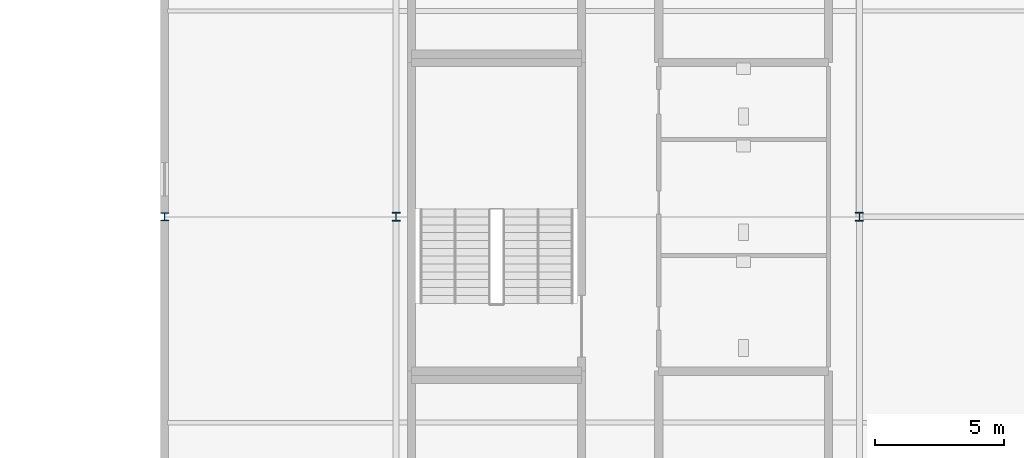
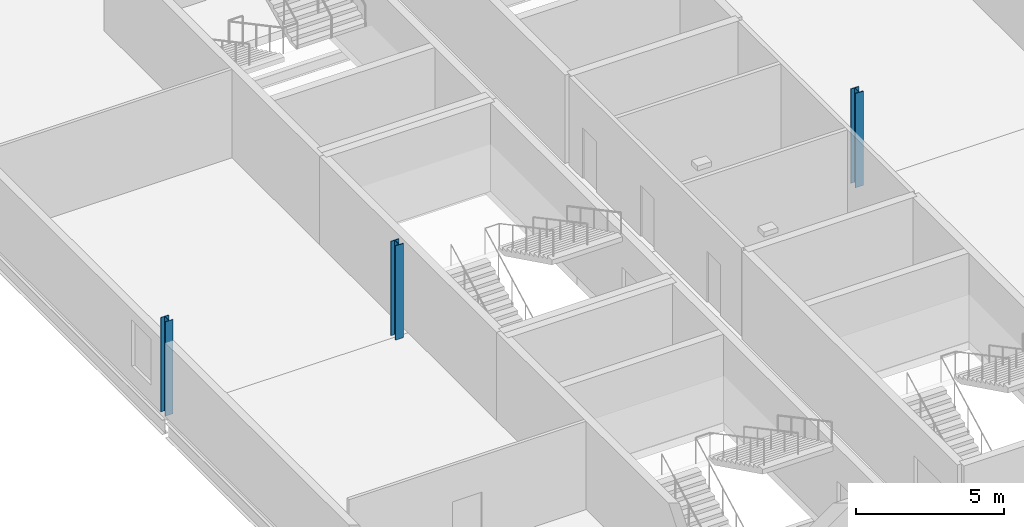
# One storey, part 5 of 27: 3 columns.
"""IFC4 building model written with IfcOpenShell, lengths in metres."""

from ifc_helpers import new_model, si_unit, direction, frame, origin, origin_2d, place, context, subcontext, project, spatial, i_section, extrude, material, material_profile, profile_set, type_object, element, save


model = new_model("IFC4")

# Units and contexts
model_context = context("Model", 3, precision=1e-05, world=origin(), true_north=direction((0.0, 1.0)))
body_context = subcontext(model_context, "Body", "Model", "MODEL_VIEW")
ifc_project = project(units=[si_unit("LENGTHUNIT", "METRE"), si_unit("AREAUNIT", "SQUARE_METRE"), si_unit("VOLUMEUNIT", "CUBIC_METRE"), si_unit("PLANEANGLEUNIT", "RADIAN"), si_unit("MASSUNIT", "GRAM", prefix="KILO")], contexts=[model_context])

# Site, building, storey
site_placement = place(None, origin())
site = spatial("IfcSite", under=ifc_project, at=site_placement, CompositionType="ELEMENT")
building_placement = place(site_placement, origin())
building = spatial("IfcBuilding", under=site, at=building_placement, Name="Kisiwana Market Hall", CompositionType="ELEMENT")
storey_placement = place(building_placement, frame((0.0, 0.0, 41.699951171875)))
storey = spatial("IfcBuildingStorey", under=building, at=storey_placement, Name="L09", CompositionType="ELEMENT", Elevation=41.699951171875)

# Columns
ifc_material_1 = material(Name="Steel S355", Category="steel")
ifc_material_profile_1 = material_profile(ifc_material_1, i_section(OverallWidth=0.30908203125, OverallDepth=0.320556640625, WebThickness=0.013916015625, FlangeThickness=0.021728515625, at=origin_2d()), Name="UC 305x305x137")
ifc_profile_set_1 = profile_set([ifc_material_profile_1], Name="Steel S355")
column_type_1 = type_object("IfcColumnType", Name="COL-STL-UC137", PredefinedType="COLUMN", material=ifc_profile_set_1)
column_placement = place(storey_placement, frame((162.0, 60.0, 0.0), z_axis=(0.0, 0.0, 1.0), x_axis=(1.0, 0.0, 0.0)))
element("IfcColumn", 1, at=column_placement, inside=storey, type_object=column_type_1, Name="Column H/19 (L09) C-1208", PredefinedType="COLUMN", context=body_context, shape_type="SweptSolid", body=[
    extrude(i_section(OverallWidth=0.30908203125, OverallDepth=0.320556640625, WebThickness=0.013916015625, FlangeThickness=0.021728515625, at=origin_2d()), origin(), (0.0, 0.0, 1.0), 3.900146484375),
])
ifc_material_2 = material(Name="Steel S355", Category="steel")
ifc_material_profile_2 = material_profile(ifc_material_2, i_section(OverallWidth=0.314453125, OverallDepth=0.33984375, WebThickness=0.01904296875, FlangeThickness=0.031494140625, at=origin_2d()), Name="UC 305x305x198")
ifc_profile_set_2 = profile_set([ifc_material_profile_2], Name="Steel S355")
column_type_2 = type_object("IfcColumnType", Name="COL-STL-UC198", PredefinedType="COLUMN", material=ifc_profile_set_2)
for number, where, z_axis, x_axis, name in (
    (2, (171.0, 60.0, 0.0), (0.0, 0.0, 1.0), (1.0, 0.0, 0.0), "Column H/20 (L09) C-1245"),
    (3, (189.0, 60.0, 0.0), (0.0, 0.0, 1.0), (1.0, 0.0, 0.0), "Column H/22 (L09) C-1209"),
):
    element("IfcColumn", number, at=place(storey_placement, frame(where, z_axis=z_axis, x_axis=x_axis)), inside=storey, type_object=column_type_2, Name=name, PredefinedType="COLUMN", context=body_context, shape_type="SweptSolid", body=[
        extrude(i_section(OverallWidth=0.314453125, OverallDepth=0.33984375, WebThickness=0.01904296875, FlangeThickness=0.031494140625, at=origin_2d()), origin(), (0.0, 0.0, 1.0), 3.900146484375),
    ])

save(model, "model.ifc")
